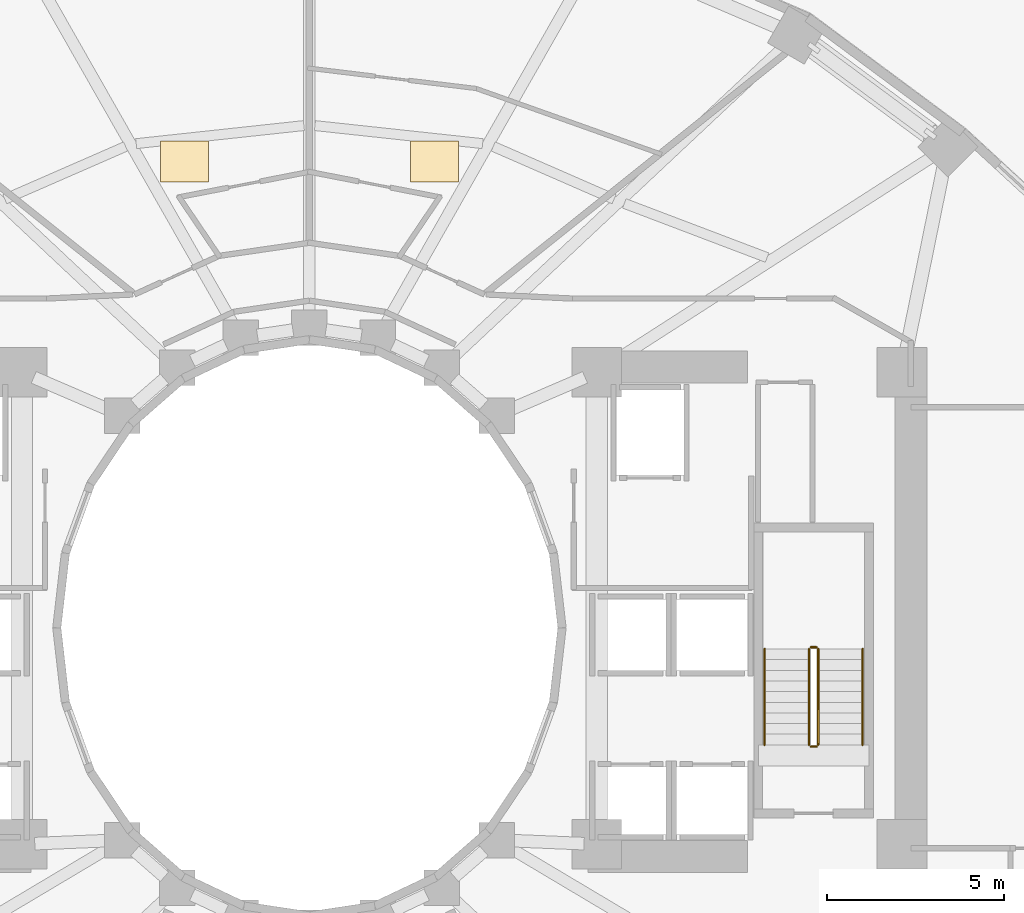
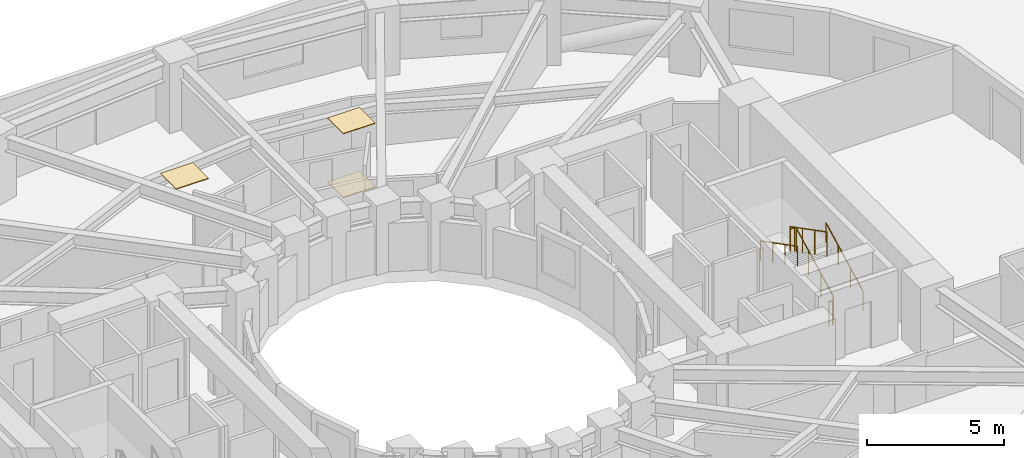
# One storey, part 10 of 10: 6 railings, 3 coverings.
"""IFC4 building model written with IfcOpenShell, lengths in metres."""

from ifc_helpers import new_model, si_unit, direction, frame, origin, origin_2d, place, context, subcontext, project, spatial, polyline, circle, outline, extrude, material, layer, layer_set, type_object, element, save


model = new_model("IFC4")

# Units and contexts
model_context = context("Model", 3, precision=1e-05, world=origin(), true_north=direction((0.0, 1.0)))
body_context = subcontext(model_context, "Body", "Model", "MODEL_VIEW")
ifc_project = project(units=[si_unit("LENGTHUNIT", "METRE"), si_unit("AREAUNIT", "SQUARE_METRE"), si_unit("VOLUMEUNIT", "CUBIC_METRE"), si_unit("PLANEANGLEUNIT", "RADIAN"), si_unit("MASSUNIT", "GRAM", prefix="KILO")], contexts=[model_context])

# Site, building, storey
site_placement = place(None, origin())
site = spatial("IfcSite", under=ifc_project, at=site_placement, CompositionType="ELEMENT")
building_placement = place(site_placement, origin())
building = spatial("IfcBuilding", under=site, at=building_placement, Name="Solvane Sanctuary Tower", CompositionType="ELEMENT")
storey_placement = place(building_placement, frame((0.0, 0.0, 27.60009765625)))
storey = spatial("IfcBuildingStorey", under=building, at=storey_placement, Name="L07", CompositionType="ELEMENT", Elevation=27.60009765625)

# Coverings
ifc_material_1 = material(Name="Acoustic Gypsum Partition Board")
ifc_layer_1 = layer(ifc_material_1, 0.02490234375, Name="Acoustic Gypsum Partition Board")
ifc_layer_set_1 = layer_set([ifc_layer_1], Name="Acoustic Gypsum Partition Board")
covering_type_1 = type_object("IfcCoveringType", Name="Covering CLG-ACOUST", PredefinedType="CEILING", material=ifc_layer_set_1)
covering_1_placement = place(storey_placement, frame((0.0, 0.0, 2.849853515625)))
element("IfcCovering", 1, at=covering_1_placement, inside=storey, type_object=covering_type_1, Name="L07 Unit Acoustic Ceiling Panel 1", PredefinedType="CEILING", context=body_context, shape_type="SweptSolid", body=[
    extrude(outline(polyline([(34.844970703125, 35.56201171875), (36.195068359375, 35.56201171875), (36.195068359375, 36.7119140625), (34.844970703125, 36.7119140625), (34.844970703125, 35.56201171875)])), origin(), (0.0, 0.0, 1.0), 0.030029296875),
])
covering_2_placement = place(storey_placement, frame((0.0, 0.0, 2.849853515625)))
element("IfcCovering", 2, at=covering_2_placement, inside=storey, type_object=covering_type_1, Name="L07 Unit Acoustic Ceiling Panel 2", PredefinedType="CEILING", context=body_context, shape_type="SweptSolid", body=[
    extrude(outline(polyline([(27.804931640625, 35.56201171875), (29.155029296875, 35.56201171875), (29.155029296875, 36.7119140625), (27.804931640625, 36.7119140625), (27.804931640625, 35.56201171875)])), origin(), (0.0, 0.0, 1.0), 0.030029296875),
])
ifc_material_2 = material(Name="Ceramic Tile Finish")
ifc_layer_2 = layer(ifc_material_2, 0.030029296875, Name="Ceramic Tile Finish")
ifc_layer_set_2 = layer_set([ifc_layer_2], Name="Ceramic Tile Finish")
covering_type_2 = type_object("IfcCoveringType", Name="Covering FLR-TERRAZZO", PredefinedType="FLOORING", material=ifc_layer_set_2)
covering_3_placement = place(storey_placement, origin())
element("IfcCovering", 3, at=covering_3_placement, inside=storey, type_object=covering_type_2, Name="L07 Unit Terrazzo Inlay 1", PredefinedType="FLOORING", context=body_context, shape_type="SweptSolid", body=[
    extrude(outline(polyline([(34.844970703125, 35.56201171875), (36.195068359375, 35.56201171875), (36.195068359375, 36.7119140625), (34.844970703125, 36.7119140625), (34.844970703125, 35.56201171875)])), origin(), (0.0, 0.0, 1.0), 0.034912109375),
])

# Railings
ifc_material_3 = material(Name="Architectural Stainless Steel 316", Category="steel")
railing_type_1 = type_object("IfcRailingType", Name="Railing GR-BALC-1150", PredefinedType="BALUSTRADE", material=ifc_material_3)
railing_1_placement = place(storey_placement, frame((46.340087890625, 19.699951171875, 0.15478515625)))
element("IfcRailing", 4, at=railing_1_placement, inside=storey, type_object=railing_type_1, Name="L07 ST-2 stair guard 1", PredefinedType="BALUSTRADE", context=body_context, shape_type="SweptSolid", body=[
    extrude(circle(Radius=0.02392578125, at=origin_2d()), frame((0.0, 0.0, 1.076171875), z_axis=(0.0, 0.888419900624, 0.459031676658), x_axis=(-1.0, 0.0, 0.0)), (0.0, 0.0, 1.0), 3.0390625),
    extrude(circle(Radius=0.02099609375, at=origin_2d()), origin(), (0.0, 0.0, 1.0), 1.052001953125),
    extrude(circle(Radius=0.02099609375, at=origin_2d()), frame((0.0, 0.89990234375, 0.465087890625)), (0.0, 0.0, 1.0), 1.052001953125),
    extrude(circle(Radius=0.02099609375, at=origin_2d()), frame((0.0, 1.800048828125, 0.929931640625)), (0.0, 0.0, 1.0), 1.052001953125),
    extrude(circle(Radius=0.02099609375, at=origin_2d()), frame((0.0, 2.699951171875, 1.39501953125)), (0.0, 0.0, 1.0), 1.052001953125),
])
railing_2_placement = place(storey_placement, frame((46.2900390625, 22.449951171875, 1.5498046875)))
element("IfcRailing", 5, at=railing_2_placement, inside=storey, type_object=railing_type_1, Name="L07 ST-2 stair guard 2", PredefinedType="BALUSTRADE", context=body_context, shape_type="SweptSolid", body=[
    extrude(circle(Radius=0.02392578125, at=origin_2d()), frame((0.0, 0.0, 1.076171875), z_axis=(-1.0, 0.0, 0.0), x_axis=(0.0, -1.0, 0.0)), (0.0, 0.0, 1.0), 0.16015625),
    extrude(circle(Radius=0.02099609375, at=origin_2d()), origin(), (0.0, 0.0, 1.0), 1.052001953125),
    extrude(circle(Radius=0.02099609375, at=origin_2d()), frame((-0.16015625, 0.0, 0.0)), (0.0, 0.0, 1.0), 1.052001953125),
])
railing_3_placement = place(storey_placement, frame((46.080078125, 22.39990234375, 1.704833984375)))
element("IfcRailing", 6, at=railing_3_placement, inside=storey, type_object=railing_type_1, Name="L07 ST-2 stair guard 3", PredefinedType="BALUSTRADE", context=body_context, shape_type="SweptSolid", body=[
    extrude(circle(Radius=0.02392578125, at=origin_2d()), frame((0.0, 0.0, 1.076171875), z_axis=(0.0, -0.888419900624, 0.459031676658), x_axis=(1.0, 0.0, 0.0)), (0.0, 0.0, 1.0), 3.0390625),
    extrude(circle(Radius=0.02099609375, at=origin_2d()), origin(), (0.0, 0.0, 1.0), 1.052001953125),
    extrude(circle(Radius=0.02099609375, at=origin_2d()), frame((0.0, -0.89990234375, 0.465087890625)), (0.0, 0.0, 1.0), 1.052001953125),
    extrude(circle(Radius=0.02099609375, at=origin_2d()), frame((0.0, -1.800048828125, 0.929931640625)), (0.0, 0.0, 1.0), 1.052001953125),
    extrude(circle(Radius=0.02099609375, at=origin_2d()), frame((0.0, -2.699951171875, 1.39501953125)), (0.0, 0.0, 1.0), 1.052001953125),
])
railing_4_placement = place(storey_placement, frame((46.2900390625, 19.64990234375, 0.0)))
element("IfcRailing", 7, at=railing_4_placement, inside=storey, type_object=railing_type_1, Name="L07 ST-2 stair guard 4", PredefinedType="BALUSTRADE", context=body_context, shape_type="SweptSolid", body=[
    extrude(circle(Radius=0.02392578125, at=origin_2d()), frame((0.0, 0.0, 1.076171875), z_axis=(-1.0, 0.0, 0.0), x_axis=(0.0, -1.0, 0.0)), (0.0, 0.0, 1.0), 0.16015625),
    extrude(circle(Radius=0.02099609375, at=origin_2d()), origin(), (0.0, 0.0, 1.0), 1.052001953125),
    extrude(circle(Radius=0.02099609375, at=origin_2d()), frame((-0.16015625, 0.0, 0.0)), (0.0, 0.0, 1.0), 1.052001953125),
])
railing_type_2 = type_object("IfcRailingType", Name="Railing HR-STAIR-920", PredefinedType="HANDRAIL", material=ifc_material_3)
railing_5_placement = place(storey_placement, frame((47.590087890625, 19.699951171875, 0.15478515625)))
element("IfcRailing", 8, at=railing_5_placement, inside=storey, type_object=railing_type_2, Name="L07 ST-2 stair handrail 1", PredefinedType="HANDRAIL", context=body_context, shape_type="SweptSolid", body=[
    extrude(circle(Radius=0.02392578125, at=origin_2d()), frame((0.0, 0.0, 0.8759765625), z_axis=(0.0, 0.888419900624, 0.459031676658), x_axis=(-1.0, 0.0, 0.0)), (0.0, 0.0, 1.0), 3.0390625),
    extrude(circle(Radius=0.02099609375, at=origin_2d()), origin(), (0.0, 0.0, 1.0), 0.851806640625),
    extrude(circle(Radius=0.02099609375, at=origin_2d()), frame((0.0, 0.89990234375, 0.465087890625)), (0.0, 0.0, 1.0), 0.851806640625),
    extrude(circle(Radius=0.02099609375, at=origin_2d()), frame((0.0, 1.800048828125, 0.929931640625)), (0.0, 0.0, 1.0), 0.851806640625),
    extrude(circle(Radius=0.02099609375, at=origin_2d()), frame((0.0, 2.699951171875, 1.39501953125)), (0.0, 0.0, 1.0), 0.851806640625),
])
railing_6_placement = place(storey_placement, frame((44.830078125, 22.39990234375, 1.704833984375)))
element("IfcRailing", 9, at=railing_6_placement, inside=storey, type_object=railing_type_2, Name="L07 ST-2 stair handrail 2", PredefinedType="HANDRAIL", context=body_context, shape_type="SweptSolid", body=[
    extrude(circle(Radius=0.02392578125, at=origin_2d()), frame((0.0, 0.0, 0.8759765625), z_axis=(0.0, -0.888419900624, 0.459031676658), x_axis=(1.0, 0.0, 0.0)), (0.0, 0.0, 1.0), 3.0390625),
    extrude(circle(Radius=0.02099609375, at=origin_2d()), origin(), (0.0, 0.0, 1.0), 0.851806640625),
    extrude(circle(Radius=0.02099609375, at=origin_2d()), frame((0.0, -0.89990234375, 0.465087890625)), (0.0, 0.0, 1.0), 0.851806640625),
    extrude(circle(Radius=0.02099609375, at=origin_2d()), frame((0.0, -1.800048828125, 0.929931640625)), (0.0, 0.0, 1.0), 0.851806640625),
    extrude(circle(Radius=0.02099609375, at=origin_2d()), frame((0.0, -2.699951171875, 1.39501953125)), (0.0, 0.0, 1.0), 0.851806640625),
])

save(model, "model.ifc")
